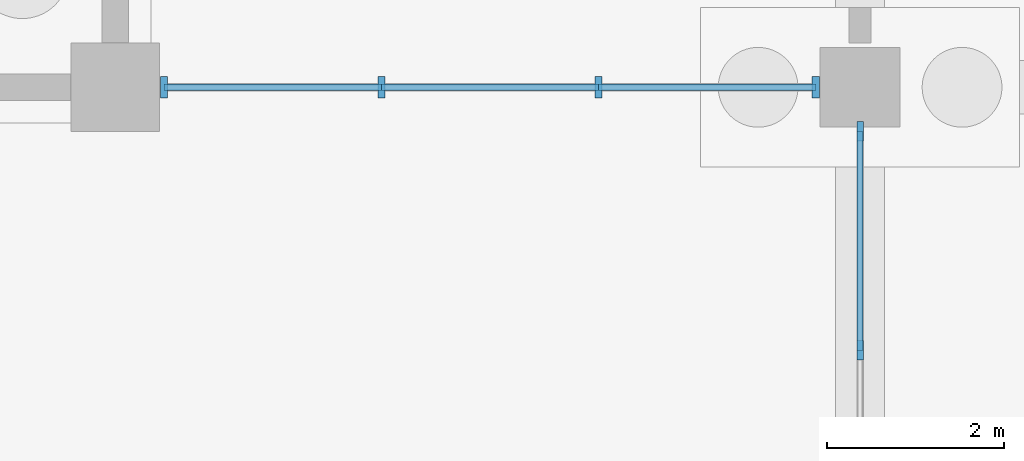
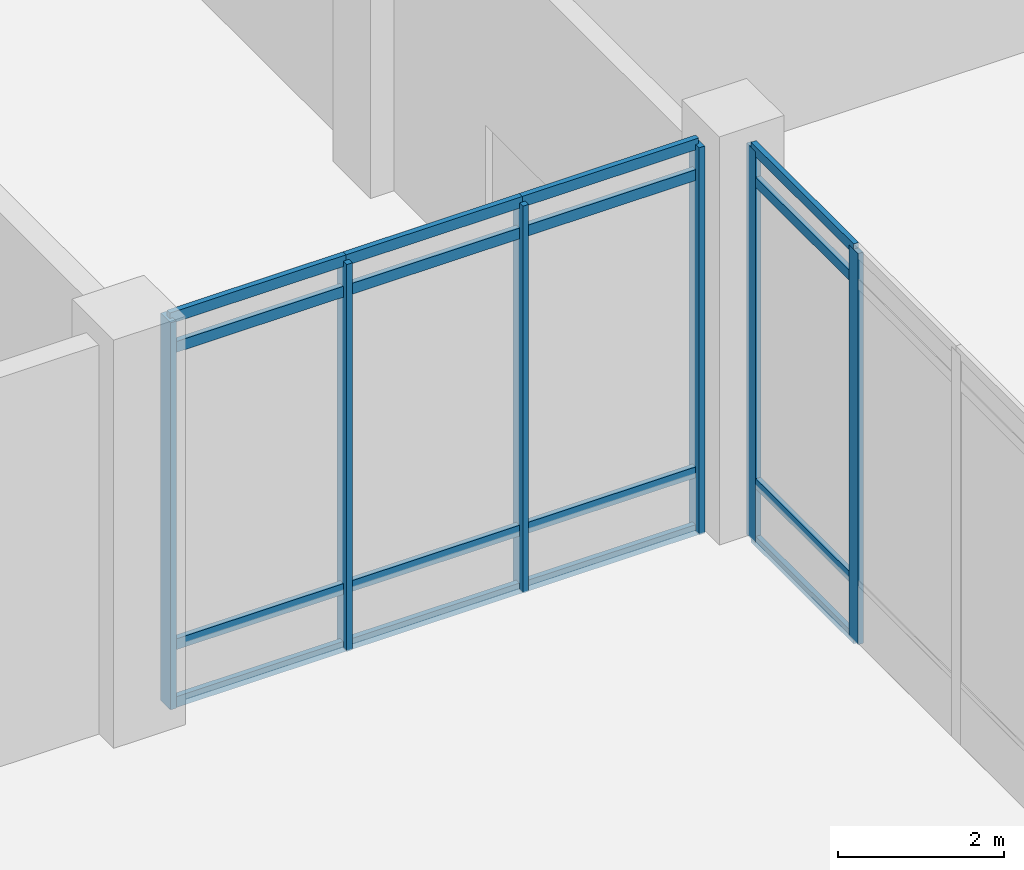
# One storey, part 35 of 72: 22 members, 2 elements without a shape of their own.
"""IFC4 building model written with IfcOpenShell, lengths in metres."""

from ifc_helpers import new_model, si_unit, direction, frame, origin, origin_2d, place, context, subcontext, project, spatial, rectangle, extrude, material, layer, layer_set, material_profile, profile_set, type_object, element, aggregate, save


model = new_model("IFC4")

# Units and contexts
model_context = context("Model", 3, precision=1e-05, world=origin(), true_north=direction((0.0, 1.0)))
body_context = subcontext(model_context, "Body", "Model", "MODEL_VIEW")
ifc_project = project(units=[si_unit("LENGTHUNIT", "METRE"), si_unit("AREAUNIT", "SQUARE_METRE"), si_unit("VOLUMEUNIT", "CUBIC_METRE"), si_unit("PLANEANGLEUNIT", "RADIAN"), si_unit("MASSUNIT", "GRAM", prefix="KILO")], contexts=[model_context])

# Site, building, storey
site_placement = place(None, origin())
site = spatial("IfcSite", under=ifc_project, at=site_placement, CompositionType="ELEMENT")
building_placement = place(site_placement, origin())
building = spatial("IfcBuilding", under=site, at=building_placement, Name="Qawsi Khor Wholesale Market", CompositionType="ELEMENT")
storey_placement = place(building_placement, origin())
storey = spatial("IfcBuildingStorey", under=building, at=storey_placement, Name="L00", CompositionType="ELEMENT", Elevation=0.0)

# Curtain wall, members
ifc_material = material(Name="Aluminium Anodised Bronze", Category="aluminium")
ifc_layer_1 = layer(ifc_material, 0.199951171875, Name="Aluminium Anodised Bronze")
ifc_layer_set_1 = layer_set([ifc_layer_1], Name="Aluminium Anodised Bronze")
curtain_wall_type_1 = type_object("IfcCurtainWallType", Name="Trading Hall North-Light Curtain Wall CW-03", PredefinedType="NOTDEFINED", material=ifc_layer_set_1)
curtain_wall_1_placement = place(storey_placement, origin())
curtain_wall_1 = element("IfcCurtainWall", 1, at=curtain_wall_1_placement, inside=storey, type_object=curtain_wall_type_1, Name="Curtain wall CW-CW-03-L00-095", PredefinedType="NOTDEFINED")
ifc_material_profile_1 = material_profile(ifc_material, rectangle(XDim=0.074951171875, YDim=0.219970703125, at=origin_2d()), Name="ALU MULLION 75x220")
ifc_profile_set_1 = profile_set([ifc_material_profile_1], Name="Aluminium Anodised Bronze")
member_type_1 = type_object("IfcMemberType", Name="Curtain Wall Mullion CW-03 ALU MULLION 75x220", PredefinedType="MULLION", material=ifc_profile_set_1)
member_1_placement = place(storey_placement, frame((142.800048828125, 89.43408203125, -0.02001953125), z_axis=(0.0, 0.0, 1.0), x_axis=(1.0, 0.0, 0.0)))
member_1 = element("IfcMember", 2, at=member_1_placement, type_object=member_type_1, Name="Mullion CW-CW-03-L00-095-M02", PredefinedType="MULLION", context=body_context, shape_type="SweptSolid", body=[
    extrude(rectangle(XDim=0.074951171875, YDim=0.219970703125, at=origin_2d()), origin(), (0.0, 0.0, 1.0), 5.75),
])
member_2_placement = place(storey_placement, frame((142.800048828125, 91.902587890625, -0.02001953125), z_axis=(0.0, 0.0, 1.0), x_axis=(1.0, 0.0, 0.0)))
member_2 = element("IfcMember", 3, at=member_2_placement, type_object=member_type_1, Name="Mullion CW-CW-03-L00-095-M03", PredefinedType="MULLION", context=body_context, shape_type="SweptSolid", body=[
    extrude(rectangle(XDim=0.074951171875, YDim=0.219970703125, at=origin_2d()), origin(), (0.0, 0.0, 1.0), 5.75),
])

ifc_layer_2 = layer(ifc_material, 0.219970703125, Name="Aluminium Anodised Bronze")
ifc_layer_set_2 = layer_set([ifc_layer_2], Name="Aluminium Anodised Bronze")
curtain_wall_type_2 = type_object("IfcCurtainWallType", Name="Auction Clerestory Curtain Wall CW-04", PredefinedType="NOTDEFINED", material=ifc_layer_set_2)
curtain_wall_2_placement = place(storey_placement, origin())
curtain_wall_2 = element("IfcCurtainWall", 4, at=curtain_wall_2_placement, inside=storey, type_object=curtain_wall_type_2, Name="Curtain wall CW-CW-04-L00-115", PredefinedType="NOTDEFINED")
ifc_material_profile_2 = material_profile(ifc_material, rectangle(XDim=0.080078125, YDim=0.239990234375, at=origin_2d()), Name="ALU MULLION 80x240")
ifc_profile_set_2 = profile_set([ifc_material_profile_2], Name="Aluminium Anodised Bronze")
member_type_2 = type_object("IfcMemberType", Name="Curtain Wall Mullion CW-04 ALU MULLION 80x240", PredefinedType="MULLION", material=ifc_profile_set_2)
member_3_placement = place(storey_placement, frame((134.949951171875, 92.39990234375, -0.02001953125), z_axis=(0.0, 0.0, 1.0), x_axis=(1.0, 0.0, 0.0)))
member_3 = element("IfcMember", 5, at=member_3_placement, type_object=member_type_2, Name="Mullion CW-CW-04-L00-115-M00", PredefinedType="MULLION", context=body_context, shape_type="SweptSolid", body=[
    extrude(rectangle(XDim=0.080078125, YDim=0.239990234375, at=origin_2d()), origin(), (0.0, 0.0, 1.0), 5.68994140625),
])
member_4_placement = place(storey_placement, frame((137.39990234375, 92.39990234375, -0.02001953125), z_axis=(0.0, 0.0, 1.0), x_axis=(1.0, 0.0, 0.0)))
member_4 = element("IfcMember", 6, at=member_4_placement, type_object=member_type_2, Name="Mullion CW-CW-04-L00-115-M01", PredefinedType="MULLION", context=body_context, shape_type="SweptSolid", body=[
    extrude(rectangle(XDim=0.080078125, YDim=0.239990234375, at=origin_2d()), origin(), (0.0, 0.0, 1.0), 5.68994140625),
])
member_5_placement = place(storey_placement, frame((139.85009765625, 92.39990234375, -0.02001953125), z_axis=(0.0, 0.0, 1.0), x_axis=(1.0, 0.0, 0.0)))
member_5 = element("IfcMember", 7, at=member_5_placement, type_object=member_type_2, Name="Mullion CW-CW-04-L00-115-M02", PredefinedType="MULLION", context=body_context, shape_type="SweptSolid", body=[
    extrude(rectangle(XDim=0.080078125, YDim=0.239990234375, at=origin_2d()), origin(), (0.0, 0.0, 1.0), 5.68994140625),
])
member_6_placement = place(storey_placement, frame((142.300048828125, 92.39990234375, -0.02001953125), z_axis=(0.0, 0.0, 1.0), x_axis=(1.0, 0.0, 0.0)))
member_6 = element("IfcMember", 8, at=member_6_placement, type_object=member_type_2, Name="Mullion CW-CW-04-L00-115-M03", PredefinedType="MULLION", context=body_context, shape_type="SweptSolid", body=[
    extrude(rectangle(XDim=0.080078125, YDim=0.239990234375, at=origin_2d()), origin(), (0.0, 0.0, 1.0), 5.68994140625),
])

# Member
ifc_material_profile_3 = material_profile(ifc_material, rectangle(XDim=0.070068359375, YDim=0.14990234375, at=origin_2d()), Name="ALU TRANSOM 70x150")
ifc_profile_set_3 = profile_set([ifc_material_profile_3], Name="Aluminium Anodised Bronze")
member_type_3 = type_object("IfcMemberType", Name="Curtain Wall Transom CW-03 ALU TRANSOM 70x150", PredefinedType="USERDEFINED", material=ifc_profile_set_3)
member_7_placement = place(storey_placement, frame((142.800048828125, 89.43408203125, 0.0), z_axis=(0.0, 1.0, 0.0), x_axis=(-1.0, 0.0, 0.0)))
member_7 = element("IfcMember", 9, at=member_7_placement, type_object=member_type_3, Name="Transom CW-CW-03-L00-095-T0_02", ObjectType="TRANSOM", PredefinedType="USERDEFINED", context=body_context, shape_type="SweptSolid", body=[
    extrude(rectangle(XDim=0.070068359375, YDim=0.14990234375, at=origin_2d()), origin(), (0.0, 0.0, 1.0), 2.468505859375),
])

member_8_placement = place(storey_placement, frame((142.800048828125, 89.43408203125, 0.85009765625), z_axis=(0.0, 1.0, 0.0), x_axis=(-1.0, 0.0, 0.0)))
member_8 = element("IfcMember", 10, at=member_8_placement, type_object=member_type_3, Name="Transom CW-CW-03-L00-095-T1_02", ObjectType="TRANSOM", PredefinedType="USERDEFINED", context=body_context, shape_type="SweptSolid", body=[
    extrude(rectangle(XDim=0.070068359375, YDim=0.14990234375, at=origin_2d()), origin(), (0.0, 0.0, 1.0), 2.468505859375),
])

member_9_placement = place(storey_placement, frame((142.800048828125, 89.43408203125, 5.280029296875), z_axis=(0.0, 1.0, 0.0), x_axis=(-1.0, 0.0, 0.0)))
member_9 = element("IfcMember", 11, at=member_9_placement, type_object=member_type_3, Name="Transom CW-CW-03-L00-095-T2_02", ObjectType="TRANSOM", PredefinedType="USERDEFINED", context=body_context, shape_type="SweptSolid", body=[
    extrude(rectangle(XDim=0.070068359375, YDim=0.14990234375, at=origin_2d()), origin(), (0.0, 0.0, 1.0), 2.468505859375),
])

member_10_placement = place(storey_placement, frame((142.800048828125, 89.43408203125, 5.72998046875), z_axis=(0.0, 1.0, 0.0), x_axis=(-1.0, 0.0, 0.0)))
member_10 = element("IfcMember", 12, at=member_10_placement, type_object=member_type_3, Name="Transom CW-CW-03-L00-095-T3_02", ObjectType="TRANSOM", PredefinedType="USERDEFINED", context=body_context, shape_type="SweptSolid", body=[
    extrude(rectangle(XDim=0.070068359375, YDim=0.14990234375, at=origin_2d()), origin(), (0.0, 0.0, 1.0), 2.468505859375),
])

aggregate(curtain_wall_1, [member_1, member_2, member_7, member_8, member_9, member_10])

ifc_material_profile_4 = material_profile(ifc_material, rectangle(XDim=0.074951171875, YDim=0.159912109375, at=origin_2d()), Name="ALU TRANSOM 75x160")
ifc_profile_set_4 = profile_set([ifc_material_profile_4], Name="Aluminium Anodised Bronze")
member_type_4 = type_object("IfcMemberType", Name="Curtain Wall Transom CW-04 ALU TRANSOM 75x160", PredefinedType="USERDEFINED", material=ifc_profile_set_4)
member_11_placement = place(storey_placement, frame((134.949951171875, 92.39990234375, 0.0), z_axis=(1.0, 0.0, 0.0), x_axis=(0.0, 1.0, 0.0)))
member_11 = element("IfcMember", 13, at=member_11_placement, type_object=member_type_4, Name="Transom CW-CW-04-L00-115-T0_00", ObjectType="TRANSOM", PredefinedType="USERDEFINED", context=body_context, shape_type="SweptSolid", body=[
    extrude(rectangle(XDim=0.074951171875, YDim=0.159912109375, at=origin_2d()), origin(), (0.0, 0.0, 1.0), 2.449951171875),
])

member_12_placement = place(storey_placement, frame((137.39990234375, 92.39990234375, 0.0), z_axis=(1.0, 0.0, 0.0), x_axis=(0.0, 1.0, 0.0)))
member_12 = element("IfcMember", 14, at=member_12_placement, type_object=member_type_4, Name="Transom CW-CW-04-L00-115-T0_01", ObjectType="TRANSOM", PredefinedType="USERDEFINED", context=body_context, shape_type="SweptSolid", body=[
    extrude(rectangle(XDim=0.074951171875, YDim=0.159912109375, at=origin_2d()), origin(), (0.0, 0.0, 1.0), 2.4501953125),
])

member_13_placement = place(storey_placement, frame((139.85009765625, 92.39990234375, 0.0), z_axis=(1.0, 0.0, 0.0), x_axis=(0.0, 1.0, 0.0)))
member_13 = element("IfcMember", 15, at=member_13_placement, type_object=member_type_4, Name="Transom CW-CW-04-L00-115-T0_02", ObjectType="TRANSOM", PredefinedType="USERDEFINED", context=body_context, shape_type="SweptSolid", body=[
    extrude(rectangle(XDim=0.074951171875, YDim=0.159912109375, at=origin_2d()), origin(), (0.0, 0.0, 1.0), 2.449951171875),
])

member_14_placement = place(storey_placement, frame((134.949951171875, 92.39990234375, 0.85009765625), z_axis=(1.0, 0.0, 0.0), x_axis=(0.0, 1.0, 0.0)))
member_14 = element("IfcMember", 16, at=member_14_placement, type_object=member_type_4, Name="Transom CW-CW-04-L00-115-T1_00", ObjectType="TRANSOM", PredefinedType="USERDEFINED", context=body_context, shape_type="SweptSolid", body=[
    extrude(rectangle(XDim=0.074951171875, YDim=0.159912109375, at=origin_2d()), origin(), (0.0, 0.0, 1.0), 2.449951171875),
])

member_15_placement = place(storey_placement, frame((137.39990234375, 92.39990234375, 0.85009765625), z_axis=(1.0, 0.0, 0.0), x_axis=(0.0, 1.0, 0.0)))
member_15 = element("IfcMember", 17, at=member_15_placement, type_object=member_type_4, Name="Transom CW-CW-04-L00-115-T1_01", ObjectType="TRANSOM", PredefinedType="USERDEFINED", context=body_context, shape_type="SweptSolid", body=[
    extrude(rectangle(XDim=0.074951171875, YDim=0.159912109375, at=origin_2d()), origin(), (0.0, 0.0, 1.0), 2.4501953125),
])

member_16_placement = place(storey_placement, frame((139.85009765625, 92.39990234375, 0.85009765625), z_axis=(1.0, 0.0, 0.0), x_axis=(0.0, 1.0, 0.0)))
member_16 = element("IfcMember", 18, at=member_16_placement, type_object=member_type_4, Name="Transom CW-CW-04-L00-115-T1_02", ObjectType="TRANSOM", PredefinedType="USERDEFINED", context=body_context, shape_type="SweptSolid", body=[
    extrude(rectangle(XDim=0.074951171875, YDim=0.159912109375, at=origin_2d()), origin(), (0.0, 0.0, 1.0), 2.449951171875),
])

member_17_placement = place(storey_placement, frame((134.949951171875, 92.39990234375, 5.219970703125), z_axis=(1.0, 0.0, 0.0), x_axis=(0.0, 1.0, 0.0)))
member_17 = element("IfcMember", 19, at=member_17_placement, type_object=member_type_4, Name="Transom CW-CW-04-L00-115-T2_00", ObjectType="TRANSOM", PredefinedType="USERDEFINED", context=body_context, shape_type="SweptSolid", body=[
    extrude(rectangle(XDim=0.074951171875, YDim=0.159912109375, at=origin_2d()), origin(), (0.0, 0.0, 1.0), 2.449951171875),
])

member_18_placement = place(storey_placement, frame((137.39990234375, 92.39990234375, 5.219970703125), z_axis=(1.0, 0.0, 0.0), x_axis=(0.0, 1.0, 0.0)))
member_18 = element("IfcMember", 20, at=member_18_placement, type_object=member_type_4, Name="Transom CW-CW-04-L00-115-T2_01", ObjectType="TRANSOM", PredefinedType="USERDEFINED", context=body_context, shape_type="SweptSolid", body=[
    extrude(rectangle(XDim=0.074951171875, YDim=0.159912109375, at=origin_2d()), origin(), (0.0, 0.0, 1.0), 2.4501953125),
])

member_19_placement = place(storey_placement, frame((139.85009765625, 92.39990234375, 5.219970703125), z_axis=(1.0, 0.0, 0.0), x_axis=(0.0, 1.0, 0.0)))
member_19 = element("IfcMember", 21, at=member_19_placement, type_object=member_type_4, Name="Transom CW-CW-04-L00-115-T2_02", ObjectType="TRANSOM", PredefinedType="USERDEFINED", context=body_context, shape_type="SweptSolid", body=[
    extrude(rectangle(XDim=0.074951171875, YDim=0.159912109375, at=origin_2d()), origin(), (0.0, 0.0, 1.0), 2.449951171875),
])

member_20_placement = place(storey_placement, frame((134.949951171875, 92.39990234375, 5.669921875), z_axis=(1.0, 0.0, 0.0), x_axis=(0.0, 1.0, 0.0)))
member_20 = element("IfcMember", 22, at=member_20_placement, type_object=member_type_4, Name="Transom CW-CW-04-L00-115-T3_00", ObjectType="TRANSOM", PredefinedType="USERDEFINED", context=body_context, shape_type="SweptSolid", body=[
    extrude(rectangle(XDim=0.074951171875, YDim=0.159912109375, at=origin_2d()), origin(), (0.0, 0.0, 1.0), 2.449951171875),
])

member_21_placement = place(storey_placement, frame((137.39990234375, 92.39990234375, 5.669921875), z_axis=(1.0, 0.0, 0.0), x_axis=(0.0, 1.0, 0.0)))
member_21 = element("IfcMember", 23, at=member_21_placement, type_object=member_type_4, Name="Transom CW-CW-04-L00-115-T3_01", ObjectType="TRANSOM", PredefinedType="USERDEFINED", context=body_context, shape_type="SweptSolid", body=[
    extrude(rectangle(XDim=0.074951171875, YDim=0.159912109375, at=origin_2d()), origin(), (0.0, 0.0, 1.0), 2.4501953125),
])

member_22_placement = place(storey_placement, frame((139.85009765625, 92.39990234375, 5.669921875), z_axis=(1.0, 0.0, 0.0), x_axis=(0.0, 1.0, 0.0)))
member_22 = element("IfcMember", 24, at=member_22_placement, type_object=member_type_4, Name="Transom CW-CW-04-L00-115-T3_02", ObjectType="TRANSOM", PredefinedType="USERDEFINED", context=body_context, shape_type="SweptSolid", body=[
    extrude(rectangle(XDim=0.074951171875, YDim=0.159912109375, at=origin_2d()), origin(), (0.0, 0.0, 1.0), 2.449951171875),
])

aggregate(curtain_wall_2, [member_3, member_4, member_5, member_6, member_11, member_12, member_13, member_14, member_15, member_16, member_17, member_18, member_19, member_20, member_21, member_22])

save(model, "model.ifc")
